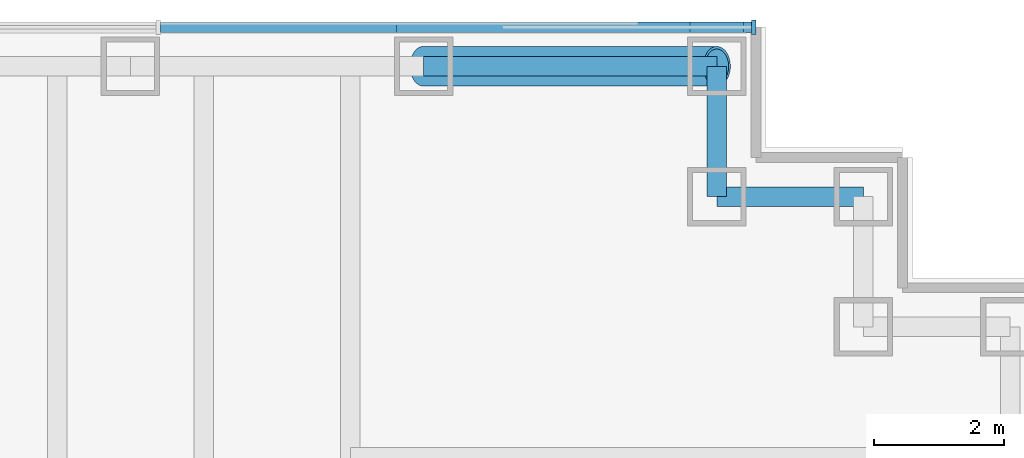
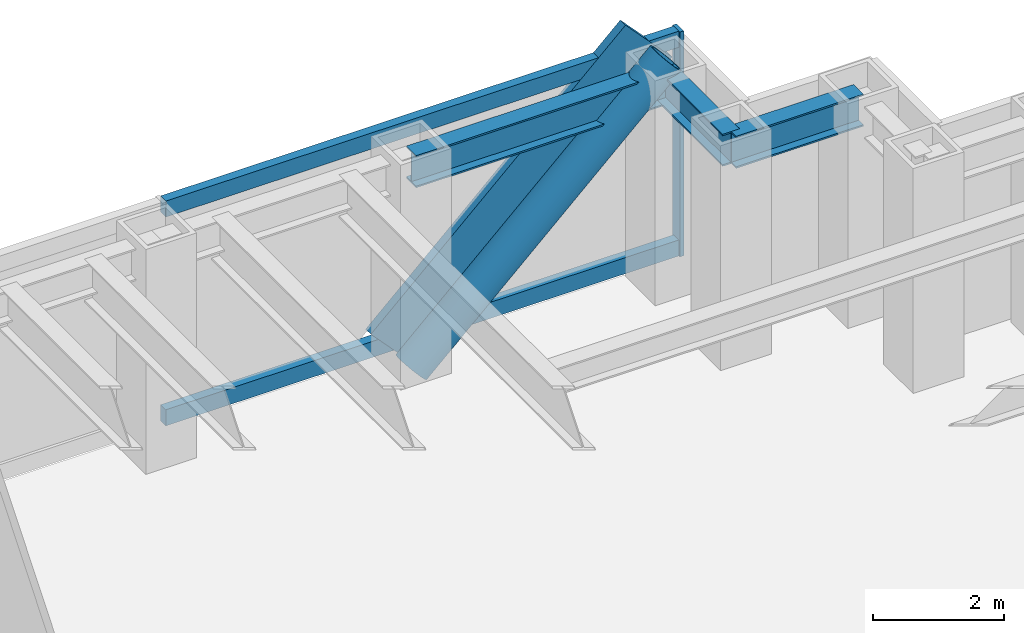
# One storey, part 8 of 14: 5 members, 3 beams, 1 element without a shape of its own.
"""IFC4 building model written with IfcOpenShell, lengths in metres."""

import ifcopenshell
import ifcopenshell.guid

model = None  # the IFC model being written
_history = None  # IfcOwnerHistory: only IFC2X3 demands one
_inside = {}  # id of a spatial element -> (the spatial element, [elements in it])
_under = {}  # id of a project, library or spatial element -> (it, [spatial elements below it])
_declared = {}  # id of a project -> (the project, [libraries it declares])
_typed = {}  # id of a type object -> (the type object, [elements of that type])
_made_of = {}  # id of a material, layer set ... -> (it, [elements and type objects made of it])


def new_model(schema):
    """Start an empty IFC model of exactly this schema.

    Asked for "IFC4X3", IfcOpenShell would pick the latest addendum, in which some entities
    have other attributes; the version numbers below select the first issue.
    IFC2X3 requires an IfcOwnerHistory on every rooted entity: one is made here for all.
    """
    global model, _history
    if schema == "IFC4X3":
        model = ifcopenshell.file(schema_version=(4, 3, 0, 0))
    else:
        model = ifcopenshell.file(schema=schema)
    _inside.clear()
    _under.clear()
    _declared.clear()
    _typed.clear()
    _made_of.clear()
    _history = None
    if model.schema == "IFC2X3":
        org = make("IfcOrganization", Name="unknown")
        user = make(
            "IfcPersonAndOrganization",
            ThePerson=make("IfcPerson", FamilyName="unknown"),
            TheOrganization=org,
        )
        app = make(
            "IfcApplication",
            ApplicationDeveloper=org,
            Version="unknown",
            ApplicationFullName="unknown",
            ApplicationIdentifier="unknown",
        )
        _history = make(
            "IfcOwnerHistory",
            OwningUser=user,
            OwningApplication=app,
            ChangeAction="ADDED",
            CreationDate=0,
        )
    return model


def make(cls, **values):
    """One entity of the class cls with the attributes given. An attribute that is None is left unset."""
    return model.create_entity(
        cls, **{name: value for name, value in values.items() if value is not None}
    )


def rooted(cls, **values):
    """An entity with a GlobalId (a new one), such as an element, a storey or a relation."""
    return make(cls, GlobalId=ifcopenshell.guid.new(), OwnerHistory=_history, **values)


def si_unit(unit_type, name, prefix=None):
    """IfcSIUnit, for example si_unit("LENGTHUNIT", "METRE", prefix="MILLI")."""
    return make("IfcSIUnit", UnitType=unit_type, Prefix=prefix, Name=name)


def assignment(units):
    """IfcUnitAssignment: the units of a project."""
    return None if units is None else make("IfcUnitAssignment", Units=units)


def point(xyz):
    """IfcCartesianPoint."""
    return None if xyz is None else make("IfcCartesianPoint", Coordinates=xyz)


def direction(xyz):
    """IfcDirection."""
    return None if xyz is None else make("IfcDirection", DirectionRatios=xyz)


def frame(location, z_axis=None, x_axis=None):
    """IfcAxis2Placement3D, a coordinate frame: its origin and axes. An axis left out is left unset."""
    return make(
        "IfcAxis2Placement3D",
        Location=point(location),
        Axis=direction(z_axis),
        RefDirection=direction(x_axis),
    )


def frame_2d(location, x_axis=None):
    """IfcAxis2Placement2D, a coordinate frame in the plane: its origin and x axis."""
    return make(
        "IfcAxis2Placement2D", Location=point(location), RefDirection=direction(x_axis)
    )


def origin():
    """The frame at (0, 0, 0) with its axes left unset."""
    return frame((0.0, 0.0, 0.0))


def origin_2d():
    """The frame at (0, 0) in the plane with its x axis left unset."""
    return frame_2d((0.0, 0.0))


def place(relative_to, where):
    """IfcLocalPlacement: puts the frame where relative to a parent placement (None: the world)."""
    return make(
        "IfcLocalPlacement", PlacementRelTo=relative_to, RelativePlacement=where
    )


def context(
    kind, dimensions, precision=None, world=None, true_north=None, identifier=None
):
    """IfcGeometricRepresentationContext, for example the 3D "Model" context."""
    return make(
        "IfcGeometricRepresentationContext",
        ContextIdentifier=identifier,
        ContextType=kind,
        CoordinateSpaceDimension=dimensions,
        Precision=precision,
        WorldCoordinateSystem=world,
        TrueNorth=true_north,
    )


def subcontext(parent, identifier, kind, view, scale=None):
    """IfcGeometricRepresentationSubContext, for example "Body" below "Model"."""
    return make(
        "IfcGeometricRepresentationSubContext",
        ContextIdentifier=identifier,
        ContextType=kind,
        ParentContext=parent,
        TargetScale=scale,
        TargetView=view,
    )


def project(units=None, contexts=None):
    """IfcProject with its units and contexts."""
    return rooted(
        "IfcProject",
        Name="project",
        RepresentationContexts=contexts,
        UnitsInContext=assignment(units),
    )


def spatial(cls, under=None, at=None, **own):
    """A site, building, storey or space (cls), placed at a placement, below another one or the project."""
    s = rooted(cls, ObjectPlacement=at, **own)
    if under is not None:
        _under.setdefault(under.id(), (under, []))[1].append(s)
    return s


def profile(cls, at=None, kind="AREA", **sizes):
    """A parametric profile (cls). Its sizes go by their IFC names, for example OverallWidth=200.0."""
    return make(cls, ProfileType=kind, Position=at, **sizes)


def rectangle(**sizes):
    """IfcRectangleProfileDef."""
    return profile("IfcRectangleProfileDef", **sizes)


def hollow_circle(**sizes):
    """IfcCircleHollowProfileDef."""
    return profile("IfcCircleHollowProfileDef", **sizes)


def i_section(**sizes):
    """IfcIShapeProfileDef."""
    return profile("IfcIShapeProfileDef", **sizes)


def extrude(swept, where, along, depth):
    """IfcExtrudedAreaSolid: the profile swept, set in the frame where, extruded along a direction by depth."""
    return make(
        "IfcExtrudedAreaSolid",
        SweptArea=swept,
        Position=where,
        ExtrudedDirection=direction(along),
        Depth=depth,
    )


def shape(context_of_items, identifier, shape_type, items):
    """IfcShapeRepresentation: the items that make up one representation, for example the "Body"."""
    return make(
        "IfcShapeRepresentation",
        ContextOfItems=context_of_items,
        RepresentationIdentifier=identifier,
        RepresentationType=shape_type,
        Items=items,
    )


def material(Name=None, Category=None):
    """IfcMaterial."""
    return make("IfcMaterial", Name=Name, Category=Category)


def material_profile(
    of_material, cross_section, Name=None, Category=None, Priority=None
):
    """IfcMaterialProfile: a cross section and its material."""
    return make(
        "IfcMaterialProfile",
        Name=Name,
        Material=of_material,
        Profile=cross_section,
        Priority=Priority,
        Category=Category,
    )


def profile_set(profiles, Name=None, composite=None):
    """IfcMaterialProfileSet."""
    return make(
        "IfcMaterialProfileSet",
        Name=Name,
        MaterialProfiles=profiles,
        CompositeProfile=composite,
    )


def made_of(thing, what):
    """Note that an element or type object is made of a material, layer set ...; save() writes the relation."""
    if what is not None:
        _made_of.setdefault(what.id(), (what, []))[1].append(thing)
    return thing


def type_object(cls, material=None, **own):
    """A type object (cls), such as IfcWallType, which elements share."""
    return made_of(rooted(cls, **own), material)


def element(
    cls,
    number,
    at=None,
    inside=None,
    cuts=None,
    type_object=None,
    material=None,
    context=None,
    identifier="Body",
    shape_type=None,
    held_by="IfcProductDefinitionShape",
    body=None,
    shapes=None,
    **own,
):
    """One element of the class cls, such as IfcWall. Its Tag is "e" and its number.

    at: its placement. inside: the storey or other place that contains it. cuts: it is an
    opening in that element (IfcRelVoidsElement). A single representation is given by context,
    identifier, shape_type and body (its items); several are given by shapes. held_by: the class
    of the entity that holds the representations. save() writes the other relations.
    """
    e = rooted(cls, Tag="e%d" % number, ObjectPlacement=at, **own)
    if body is not None:
        shapes = [shape(context, identifier, shape_type, body)]
    if shapes is not None:
        e.Representation = make(held_by, Representations=shapes)
    if inside is not None:
        _inside.setdefault(inside.id(), (inside, []))[1].append(e)
    if cuts is not None:
        rooted(
            "IfcRelVoidsElement", RelatingBuildingElement=cuts, RelatedOpeningElement=e
        )
    if type_object is not None:
        _typed.setdefault(type_object.id(), (type_object, []))[1].append(e)
    return made_of(e, material)


def aggregate(whole, parts):
    """IfcRelAggregates: a whole, such as a stair, and the parts it consists of."""
    return rooted("IfcRelAggregates", RelatingObject=whole, RelatedObjects=parts)


def save(model, path):
    """Write the relations noted so far, then the file.

    IfcRelAggregates (storeys below a building ...), IfcRelContainedInSpatialStructure (elements
    in a storey), IfcRelDefinesByType, IfcRelAssociatesMaterial and IfcRelDeclares: one each for
    every whole, place, type object, material and project.
    """
    for whole, parts in _under.values():
        aggregate(whole, parts)
    for where, things in _inside.values():
        rooted(
            "IfcRelContainedInSpatialStructure",
            RelatedElements=things,
            RelatingStructure=where,
        )
    for kind, things in _typed.values():
        rooted("IfcRelDefinesByType", RelatedObjects=things, RelatingType=kind)
    for what, things in _made_of.values():
        rooted("IfcRelAssociatesMaterial", RelatedObjects=things, RelatingMaterial=what)
    for by, libraries in _declared.values():
        rooted("IfcRelDeclares", RelatingContext=by, RelatedDefinitions=libraries)
    model.write(path)


model = new_model("IFC4")

# Units and contexts
model_context = context("Model", 3, precision=1e-05, world=origin(), true_north=direction((0.0, 1.0)))
body_context = subcontext(model_context, "Body", "Model", "MODEL_VIEW")
ifc_project = project(units=[si_unit("LENGTHUNIT", "METRE"), si_unit("AREAUNIT", "SQUARE_METRE"), si_unit("VOLUMEUNIT", "CUBIC_METRE"), si_unit("PLANEANGLEUNIT", "RADIAN"), si_unit("MASSUNIT", "GRAM", prefix="KILO")], contexts=[model_context])

# Site, building, storey
site_placement = place(None, origin())
site = spatial("IfcSite", under=ifc_project, at=site_placement, CompositionType="ELEMENT")
building_placement = place(site_placement, origin())
building = spatial("IfcBuilding", under=site, at=building_placement, Name="Rheinbord Bourse Tower", CompositionType="ELEMENT")
storey_placement = place(building_placement, frame((0.0, 0.0, 240.39990234375)))
storey = spatial("IfcBuildingStorey", under=building, at=storey_placement, Name="L54", CompositionType="ELEMENT", Elevation=240.39990234375)

# Curtain wall, members
ifc_material_1 = material(Name="Dark glass and black aluminium", Category="aluminium")
curtain_wall_type = type_object("IfcCurtainWallType", Name="CW2 DARK GLASS CURTAIN WALL", PredefinedType="USERDEFINED", material=ifc_material_1)
curtain_wall_placement = place(storey_placement, origin())
curtain_wall = element("IfcCurtainWall", 1, at=curtain_wall_placement, inside=storey, type_object=curtain_wall_type, Name="Curtain wall CW2 N L54", ObjectType="UNITISED CURTAIN WALL", PredefinedType="USERDEFINED")
ifc_material_2 = material(Name="Black anodised aluminium", Category="aluminium")
ifc_material_profile_1 = material_profile(ifc_material_2, rectangle(XDim=0.159912109375, YDim=1.2099609375, at=origin_2d()), Name="CW2 DIAGONAL MULLION 1210x160")
ifc_profile_set_1 = profile_set([ifc_material_profile_1], Name="Black anodised aluminium")
member_type_1 = type_object("IfcMemberType", Name="CW2 BLACK DIAGONAL MULLION", PredefinedType="USERDEFINED", material=ifc_profile_set_1)
member_1_placement = place(storey_placement, frame((63.0, 44.60009765625, 0.0), z_axis=(0.731039441158, 0.0, 0.682335207557), x_axis=(0.0, 1.0, 0.0)))
member_1 = element("IfcMember", 2, at=member_1_placement, type_object=member_type_1, Name="CW2 diagonal mullion b", ObjectType="DIAGONAL MULLION", PredefinedType="USERDEFINED", context=body_context, shape_type="SweptSolid", body=[
    extrude(rectangle(XDim=0.159912109375, YDim=1.2099609375, at=origin_2d()), origin(), (0.0, 0.0, 1.0), 6.155517578125),
])
ifc_material_3 = material(Name="Black anodised aluminium", Category="aluminium")
ifc_material_profile_2 = material_profile(ifc_material_3, rectangle(XDim=0.219970703125, YDim=0.070068359375, at=origin_2d()), Name="CW2 MULLION 70x220")
ifc_profile_set_2 = profile_set([ifc_material_profile_2], Name="Black anodised aluminium")
member_type_2 = type_object("IfcMemberType", Name="CW2 BLACK MULLION", PredefinedType="MULLION", material=ifc_profile_set_2)
member_2_placement = place(storey_placement, frame((68.06494140625, 44.60009765625, 0.0), z_axis=(0.0, 0.0, 1.0), x_axis=(0.0, -1.0, 0.0)))
member_2 = element("IfcMember", 3, at=member_2_placement, type_object=member_type_2, Name="CW2 mullion 1", PredefinedType="MULLION", context=body_context, shape_type="SweptSolid", body=[
    extrude(rectangle(XDim=0.219970703125, YDim=0.070068359375, at=origin_2d()), origin(), (0.0, 0.0, 1.0), 4.2001953125),
])
ifc_material_4 = material(Name="Black anodised aluminium", Category="aluminium")
ifc_material_profile_3 = material_profile(ifc_material_4, rectangle(XDim=0.159912109375, YDim=0.300048828125, at=origin_2d()), Name="CW2 TRANSOM 300x160")
ifc_profile_set_3 = profile_set([ifc_material_profile_3], Name="Black anodised aluminium")
member_type_3 = type_object("IfcMemberType", Name="CW2 BLACK TRANSOM", PredefinedType="USERDEFINED", material=ifc_profile_set_3)
member_3_placement = place(storey_placement, frame((68.030029296875, 44.60009765625, 0.150146484375), z_axis=(-1.0, 0.0, 0.0), x_axis=(0.0, -1.0, 0.0)))
member_3 = element("IfcMember", 4, at=member_3_placement, type_object=member_type_3, Name="CW2 transom 1.1", ObjectType="TRANSOM", PredefinedType="USERDEFINED", context=body_context, shape_type="SweptSolid", body=[
    extrude(rectangle(XDim=0.159912109375, YDim=0.300048828125, at=origin_2d()), origin(), (0.0, 0.0, 1.0), 9.06640625),
])
member_4_placement = place(storey_placement, frame((68.030029296875, 44.60009765625, 4.050048828125), z_axis=(-1.0, 0.0, 0.0), x_axis=(0.0, -1.0, 0.0)))
member_4 = element("IfcMember", 5, at=member_4_placement, type_object=member_type_3, Name="CW2 transom 1.2", ObjectType="TRANSOM", PredefinedType="USERDEFINED", context=body_context, shape_type="SweptSolid", body=[
    extrude(rectangle(XDim=0.159912109375, YDim=0.300048828125, at=origin_2d()), origin(), (0.0, 0.0, 1.0), 9.06640625),
])
aggregate(curtain_wall, [member_2, member_3, member_4, member_1])

# Member
ifc_material_5 = material(Name="Steel S460", Category="steel")
ifc_material_profile_4 = material_profile(ifc_material_5, hollow_circle(Radius=0.304931640625, WallThickness=0.0400390625, at=origin_2d()), Name="CHS 610x40")
ifc_profile_set_4 = profile_set([ifc_material_profile_4], Name="Steel S460")
member_type_4 = type_object("IfcMemberType", Name="MEGABRACE CHS 610x40", PredefinedType="BRACE", material=ifc_profile_set_4)
member_5_placement = place(storey_placement, frame((63.0, 44.0, 0.0), z_axis=(0.731039441158, 0.0, 0.682335207557), x_axis=(0.0, 1.0, 0.0)))
element("IfcMember", 6, at=member_5_placement, inside=storey, type_object=member_type_4, Name="Megabrace N face line b L54", PredefinedType="BRACE", context=body_context, shape_type="SweptSolid", body=[
    extrude(hollow_circle(Radius=0.304931640625, WallThickness=0.0400390625, at=origin_2d()), origin(), (0.0, 0.0, 1.0), 6.155517578125),
])

# Beams
ifc_material_6 = material(Name="Steel S460", Category="steel")
ifc_material_profile_5 = material_profile(ifc_material_6, i_section(OverallWidth=0.300048828125, OverallDepth=0.60009765625, WebThickness=0.015380859375, FlangeThickness=0.030029296875, at=origin_2d()), Name="HEB 600")
ifc_profile_set_5 = profile_set([ifc_material_profile_5], Name="Steel S460")
beam_type = type_object("IfcBeamType", Name="SPANDREL HEB 600", PredefinedType="SPANDREL", material=ifc_profile_set_5)
beam_1_placement = place(storey_placement, frame((69.75, 42.0, 3.739990234375), z_axis=(-1.0, 0.0, 0.0), x_axis=(0.0, -1.0, 0.0)))
element("IfcBeam", 7, at=beam_1_placement, inside=storey, type_object=beam_type, Name="Spandrel NE-C-NE-D under L55", PredefinedType="SPANDREL", context=body_context, shape_type="SweptSolid", body=[
    extrude(i_section(OverallWidth=0.300048828125, OverallDepth=0.60009765625, WebThickness=0.015380859375, FlangeThickness=0.030029296875, at=origin_2d()), origin(), (0.0, 0.0, 1.0), 2.25),
])
beam_2_placement = place(storey_placement, frame((67.5, 42.0, 3.739990234375), z_axis=(0.0, 1.0, 0.0), x_axis=(-1.0, 0.0, 0.0)))
element("IfcBeam", 8, at=beam_2_placement, inside=storey, type_object=beam_type, Name="Spandrel NE-D-NE-E under L55", PredefinedType="SPANDREL", context=body_context, shape_type="SweptSolid", body=[
    extrude(i_section(OverallWidth=0.300048828125, OverallDepth=0.60009765625, WebThickness=0.015380859375, FlangeThickness=0.030029296875, at=origin_2d()), origin(), (0.0, 0.0, 1.0), 2.0),
])
beam_3_placement = place(storey_placement, frame((67.5, 44.0, 3.739990234375), z_axis=(-1.0, 0.0, 0.0), x_axis=(0.0, -1.0, 0.0)))
element("IfcBeam", 9, at=beam_3_placement, inside=storey, type_object=beam_type, Name="Spandrel NE-E-N-63 under L55", PredefinedType="SPANDREL", context=body_context, shape_type="SweptSolid", body=[
    extrude(i_section(OverallWidth=0.300048828125, OverallDepth=0.60009765625, WebThickness=0.015380859375, FlangeThickness=0.030029296875, at=origin_2d()), origin(), (0.0, 0.0, 1.0), 4.5),
])

save(model, "model.ifc")
